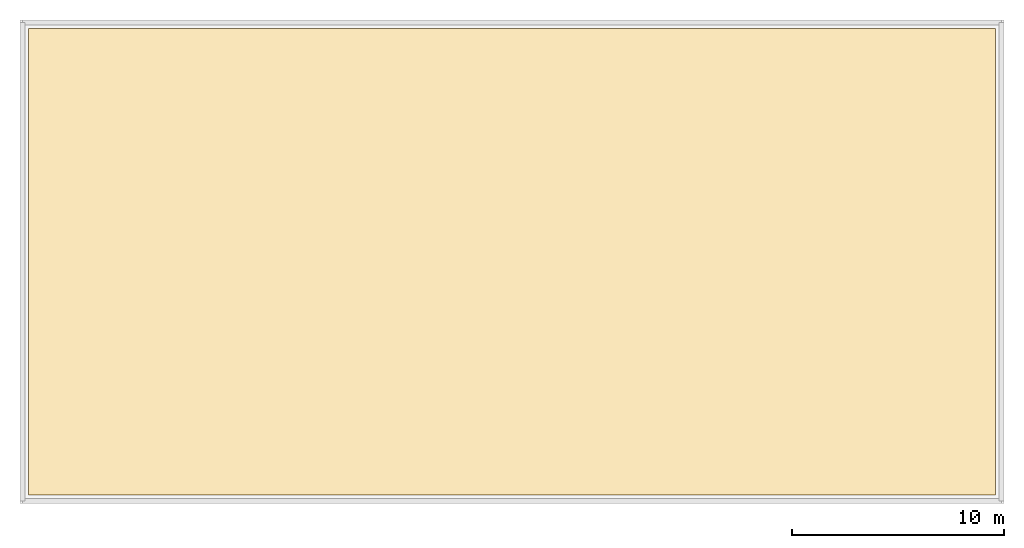
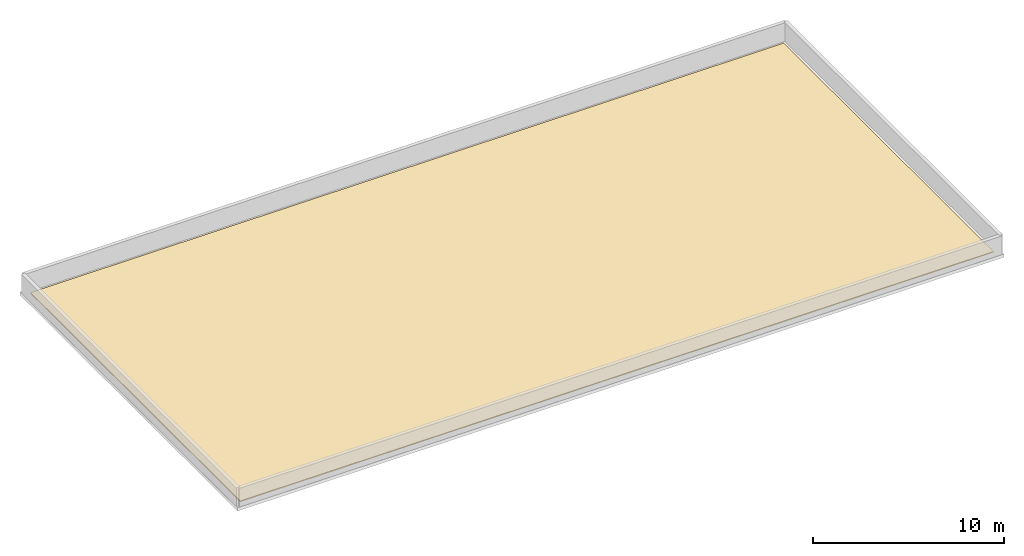
# One storey, part 2 of 2: 1 covering.
"""IFC4 building model written with IfcOpenShell, lengths in metres."""

from ifc_helpers import new_model, si_unit, direction, frame, origin, place, context, subcontext, project, spatial, polyline, outline, extrude, material, layer, layer_set, type_object, element, save


model = new_model("IFC4")

# Units and contexts
model_context = context("Model", 3, precision=1e-05, world=origin(), true_north=direction((0.0, 1.0)))
body_context = subcontext(model_context, "Body", "Model", "MODEL_VIEW")
ifc_project = project(units=[si_unit("LENGTHUNIT", "METRE"), si_unit("AREAUNIT", "SQUARE_METRE"), si_unit("VOLUMEUNIT", "CUBIC_METRE"), si_unit("PLANEANGLEUNIT", "RADIAN"), si_unit("MASSUNIT", "GRAM", prefix="KILO")], contexts=[model_context])

# Site, building, storey
site_placement = place(None, origin())
site = spatial("IfcSite", under=ifc_project, at=site_placement, CompositionType="ELEMENT")
building_placement = place(site_placement, origin())
building = spatial("IfcBuilding", under=site, at=building_placement, Name="Zulena Civic Courthouse", CompositionType="ELEMENT")
storey_placement = place(building_placement, frame((0.0, 0.0, 46.199951171875)))
storey = spatial("IfcBuildingStorey", under=building, at=storey_placement, Name="Roof", CompositionType="ELEMENT", Elevation=46.199951171875)

# Covering
ifc_material = material(Name="Insulated standing-seam zinc-aluminium roofing", Category="aluminium")
ifc_layer = layer(ifc_material, 0.06005859375)
ifc_layer_set = layer_set([ifc_layer], Name="Insulated standing-seam zinc-aluminium roofing")
covering_type = type_object("IfcCoveringType", Name="StandingSeamRoofing_60", PredefinedType="ROOFING", material=ifc_layer_set)
covering_placement = place(storey_placement, origin())
element("IfcCovering", 1, at=covering_placement, inside=storey, type_object=covering_type, Name="cov:roofing:V2", PredefinedType="ROOFING", context=body_context, shape_type="SweptSolid", body=[
    extrude(outline(polyline([(20.39990234375, 0.39990234375), (66.0, 0.39990234375), (66.0, 22.39990234375), (20.39990234375, 22.39990234375), (20.39990234375, 0.39990234375)])), origin(), (0.0, 0.0, 1.0), 0.06005859375),
])

save(model, "model.ifc")
